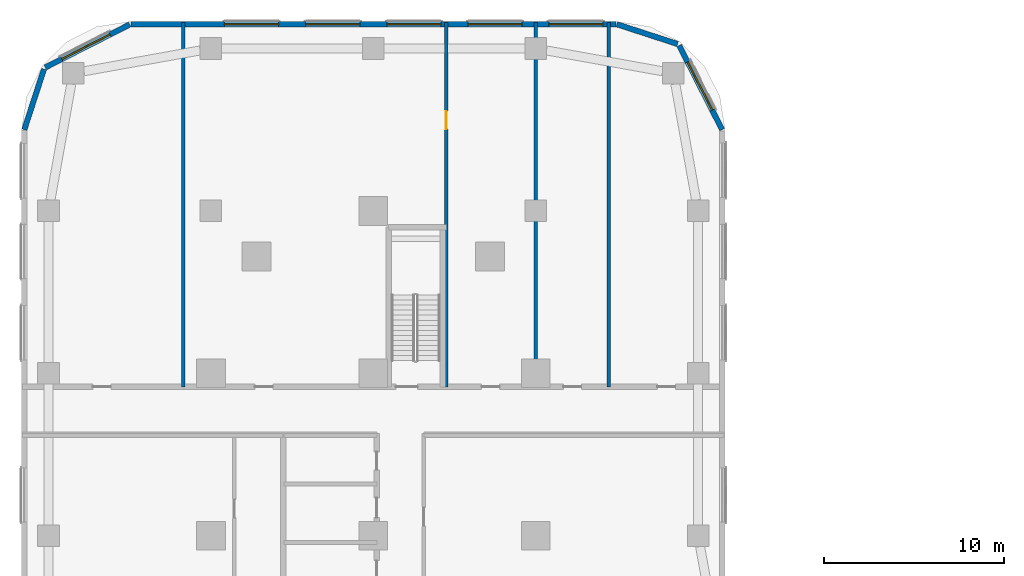
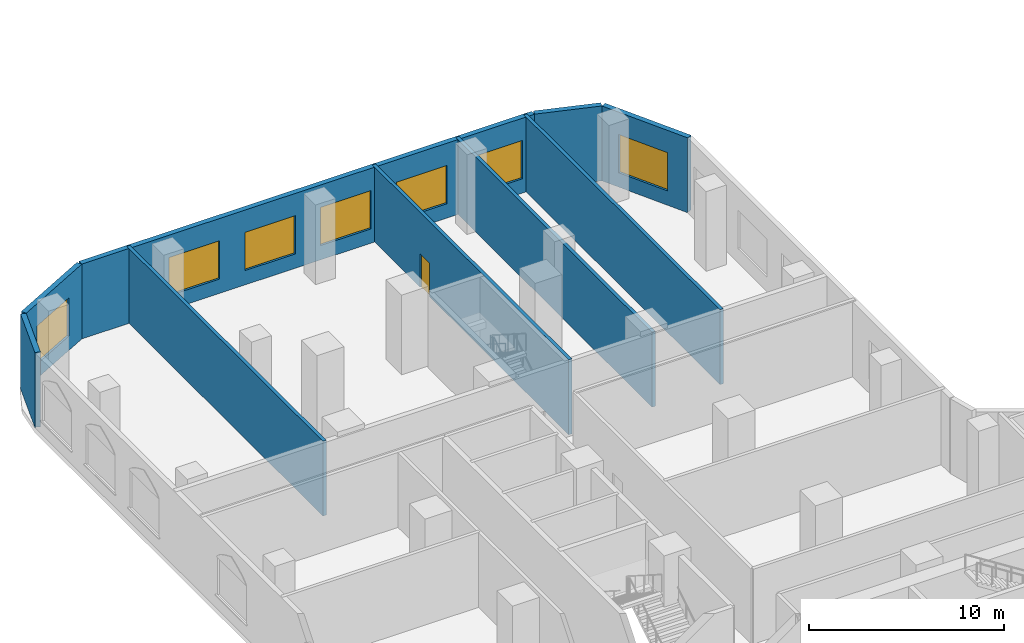
# One storey, part 11 of 31: 9 walls, 7 windows, 1 door, 8 openings.
"""IFC4 building model written with IfcOpenShell, lengths in metres."""

from ifc_helpers import new_model, si_unit, direction, frame, frame_2d, origin, place, context, subcontext, project, spatial, rectangle, extrude, material, layer, layer_set, type_object, element, fill, save


model = new_model("IFC4")

# Units and contexts
model_context = context("Model", 3, precision=1e-05, world=origin(), true_north=direction((0.0, 1.0)))
body_context = subcontext(model_context, "Body", "Model", "MODEL_VIEW")
ifc_project = project(units=[si_unit("LENGTHUNIT", "METRE"), si_unit("AREAUNIT", "SQUARE_METRE"), si_unit("VOLUMEUNIT", "CUBIC_METRE"), si_unit("PLANEANGLEUNIT", "RADIAN"), si_unit("MASSUNIT", "GRAM", prefix="KILO")], contexts=[model_context])

# Site, building, storey
site_placement = place(None, origin())
site = spatial("IfcSite", under=ifc_project, at=site_placement, CompositionType="ELEMENT")
building_placement = place(site_placement, origin())
building = spatial("IfcBuilding", under=site, at=building_placement, Name="Ogive Portal Towers", CompositionType="ELEMENT")
storey_placement = place(building_placement, frame((0.0, 0.0, 13.5)))
storey = spatial("IfcBuildingStorey", under=building, at=storey_placement, Name="L02", CompositionType="ELEMENT", Elevation=13.5)

# Wall, opening, window
ifc_material_1 = material(Name="Limestone cladding on lightweight block wall", Category="masonry")
ifc_layer_1 = layer(ifc_material_1, 0.300048828125)
ifc_layer_set_1 = layer_set([ifc_layer_1], Name="EXTERNAL WALL 300 STONE")
wall_type_1 = type_object("IfcWallType", Name="EXTERNAL WALL 300 STONE", PredefinedType="SOLIDWALL", material=ifc_layer_set_1)
wall_1_placement = place(storey_placement, frame((59.833740234375, 79.99609375, 0.0), z_axis=(0.0, 0.0, 1.0), x_axis=(-0.454006562826, 0.890998339455, 0.0)))
wall_1 = element("IfcWall", 1, at=wall_1_placement, inside=storey, type_object=wall_type_1, Name="A:L02:f12:w0", PredefinedType="SOLIDWALL", context=body_context, shape_type="SweptSolid", body=[
    extrude(rectangle(XDim=5.251708984375, YDim=0.300048828125, at=frame_2d((2.6259765625, 0.0))), origin(), (0.0, 0.0, 1.0), 4.699951171875),
])
opening_1_placement = place(wall_1_placement, frame((1.223876953125, 0.0, 0.89990234375)))
opening_1 = element("IfcOpeningElement", 2, at=opening_1_placement, cuts=wall_1, Name="Opening WN3", PredefinedType="OPENING", context=body_context, shape_type="SweptSolid", body=[
    extrude(rectangle(XDim=3.0, YDim=2.39990234375, at=frame_2d((1.5, 1.199951171875))), frame((0.0, 0.16015625, 0.0), z_axis=(0.0, -1.0, 0.0), x_axis=(1.0, 0.0, 0.0)), (0.0, 0.0, 1.0), 0.320068359375),
])
ifc_material_2 = material(Name="Glass, clear low-iron insulated glazing", Category="glass")
window_type = type_object("IfcWindowType", Name="WINDOW PODIUM 3000x2400", PartitioningType="SINGLE_PANEL", PredefinedType="WINDOW", material=ifc_material_2)
window_1_placement = place(opening_1_placement, origin())
window_1 = element("IfcWindow", 3, at=window_1_placement, inside=storey, type_object=window_type, Name="A:L02:f12:w0:o0", OverallHeight=2.39990234375, OverallWidth=3.0, PartitioningType="SINGLE_PANEL", PredefinedType="WINDOW", context=body_context, shape_type="SweptSolid", body=[
    extrude(rectangle(XDim=3.0, YDim=2.39990234375, at=frame_2d((1.5, 1.199951171875))), frame((0.0, 0.030029296875, 0.0), z_axis=(0.0, -1.0, 0.0), x_axis=(1.0, 0.0, 0.0)), (0.0, 0.0, 1.0), 0.06005859375),
])
fill(opening_1, window_1)

# Wall
wall_2_placement = place(storey_placement, frame((57.362060546875, 84.749755859375, 0.0), z_axis=(0.0, 0.0, 1.0), x_axis=(-0.951038127287, 0.309073584194, 0.0)))
element("IfcWall", 4, at=wall_2_placement, inside=storey, type_object=wall_type_1, Name="A:L02:f13:w0", PredefinedType="SOLIDWALL", context=body_context, shape_type="SweptSolid", body=[
    extrude(rectangle(XDim=3.536376953125, YDim=0.300048828125, at=frame_2d((1.76806640625, 0.0))), origin(), (0.0, 0.0, 1.0), 4.699951171875),
])

# Wall, openings, windows
wall_3_placement = place(storey_placement, frame((53.952392578125, 85.85009765625, 0.0), z_axis=(0.0, 0.0, 1.0), x_axis=(-1.0, 0.0, 0.0)))
wall_3 = element("IfcWall", 5, at=wall_3_placement, inside=storey, type_object=wall_type_1, Name="A:L02:f14:w0", PredefinedType="SOLIDWALL", context=body_context, shape_type="SweptSolid", body=[
    extrude(rectangle(XDim=26.88037109375, YDim=0.300048828125, at=frame_2d((13.440185546875, 0.0))), origin(), (0.0, 0.0, 1.0), 4.699951171875),
])
opening_2_placement = place(wall_3_placement, frame((0.726318359375, 0.0, 0.89990234375)))
opening_2 = element("IfcOpeningElement", 6, at=opening_2_placement, cuts=wall_3, Name="Opening WN3", PredefinedType="OPENING", context=body_context, shape_type="SweptSolid", body=[
    extrude(rectangle(XDim=3.0, YDim=2.39990234375, at=frame_2d((1.5, 1.199951171875))), frame((0.0, 0.16015625, 0.0), z_axis=(0.0, -1.0, 0.0), x_axis=(1.0, 0.0, 0.0)), (0.0, 0.0, 1.0), 0.320068359375),
])
opening_3_placement = place(wall_3_placement, frame((5.202392578125, 0.0, 0.89990234375)))
opening_3 = element("IfcOpeningElement", 7, at=opening_3_placement, cuts=wall_3, Name="Opening WN3", PredefinedType="OPENING", context=body_context, shape_type="SweptSolid", body=[
    extrude(rectangle(XDim=3.0, YDim=2.39990234375, at=frame_2d((1.5, 1.199951171875))), frame((0.0, 0.16015625, 0.0), z_axis=(0.0, -1.0, 0.0), x_axis=(1.0, 0.0, 0.0)), (0.0, 0.0, 1.0), 0.320068359375),
])
opening_4_placement = place(wall_3_placement, frame((9.702392578125, 0.0, 0.89990234375)))
opening_4 = element("IfcOpeningElement", 8, at=opening_4_placement, cuts=wall_3, Name="Opening WN3", PredefinedType="OPENING", context=body_context, shape_type="SweptSolid", body=[
    extrude(rectangle(XDim=3.0, YDim=2.39990234375, at=frame_2d((1.5, 1.199951171875))), frame((0.0, 0.16015625, 0.0), z_axis=(0.0, -1.0, 0.0), x_axis=(1.0, 0.0, 0.0)), (0.0, 0.0, 1.0), 0.320068359375),
])
opening_5_placement = place(wall_3_placement, frame((14.202392578125, 0.0, 0.89990234375)))
opening_5 = element("IfcOpeningElement", 9, at=opening_5_placement, cuts=wall_3, Name="Opening WN3", PredefinedType="OPENING", context=body_context, shape_type="SweptSolid", body=[
    extrude(rectangle(XDim=3.0, YDim=2.39990234375, at=frame_2d((1.5, 1.199951171875))), frame((0.0, 0.16015625, 0.0), z_axis=(0.0, -1.0, 0.0), x_axis=(1.0, 0.0, 0.0)), (0.0, 0.0, 1.0), 0.320068359375),
])
opening_6_placement = place(wall_3_placement, frame((18.702392578125, 0.0, 0.89990234375)))
opening_6 = element("IfcOpeningElement", 10, at=opening_6_placement, cuts=wall_3, Name="Opening WN3", PredefinedType="OPENING", context=body_context, shape_type="SweptSolid", body=[
    extrude(rectangle(XDim=3.0, YDim=2.39990234375, at=frame_2d((1.5, 1.199951171875))), frame((0.0, 0.16015625, 0.0), z_axis=(0.0, -1.0, 0.0), x_axis=(1.0, 0.0, 0.0)), (0.0, 0.0, 1.0), 0.320068359375),
])
window_2_placement = place(opening_2_placement, origin())
window_2 = element("IfcWindow", 11, at=window_2_placement, inside=storey, type_object=window_type, Name="A:L02:f14:w0:o0", OverallHeight=2.39990234375, OverallWidth=3.0, PartitioningType="SINGLE_PANEL", PredefinedType="WINDOW", context=body_context, shape_type="SweptSolid", body=[
    extrude(rectangle(XDim=3.0, YDim=2.39990234375, at=frame_2d((1.5, 1.199951171875))), frame((0.0, 0.030029296875, 0.0), z_axis=(0.0, -1.0, 0.0), x_axis=(1.0, 0.0, 0.0)), (0.0, 0.0, 1.0), 0.06005859375),
])
fill(opening_2, window_2)
window_3_placement = place(opening_3_placement, origin())
window_3 = element("IfcWindow", 12, at=window_3_placement, inside=storey, type_object=window_type, Name="A:L02:f14:w0:o1a", OverallHeight=2.39990234375, OverallWidth=3.0, PartitioningType="SINGLE_PANEL", PredefinedType="WINDOW", context=body_context, shape_type="SweptSolid", body=[
    extrude(rectangle(XDim=3.0, YDim=2.39990234375, at=frame_2d((1.5, 1.199951171875))), frame((0.0, 0.030029296875, 0.0), z_axis=(0.0, -1.0, 0.0), x_axis=(1.0, 0.0, 0.0)), (0.0, 0.0, 1.0), 0.06005859375),
])
fill(opening_3, window_3)
window_4_placement = place(opening_4_placement, origin())
window_4 = element("IfcWindow", 13, at=window_4_placement, inside=storey, type_object=window_type, Name="A:L02:f14:w0:o1b", OverallHeight=2.39990234375, OverallWidth=3.0, PartitioningType="SINGLE_PANEL", PredefinedType="WINDOW", context=body_context, shape_type="SweptSolid", body=[
    extrude(rectangle(XDim=3.0, YDim=2.39990234375, at=frame_2d((1.5, 1.199951171875))), frame((0.0, 0.030029296875, 0.0), z_axis=(0.0, -1.0, 0.0), x_axis=(1.0, 0.0, 0.0)), (0.0, 0.0, 1.0), 0.06005859375),
])
fill(opening_4, window_4)
window_5_placement = place(opening_5_placement, origin())
window_5 = element("IfcWindow", 14, at=window_5_placement, inside=storey, type_object=window_type, Name="A:L02:f14:w0:o2a", OverallHeight=2.39990234375, OverallWidth=3.0, PartitioningType="SINGLE_PANEL", PredefinedType="WINDOW", context=body_context, shape_type="SweptSolid", body=[
    extrude(rectangle(XDim=3.0, YDim=2.39990234375, at=frame_2d((1.5, 1.199951171875))), frame((0.0, 0.030029296875, 0.0), z_axis=(0.0, -1.0, 0.0), x_axis=(1.0, 0.0, 0.0)), (0.0, 0.0, 1.0), 0.06005859375),
])
fill(opening_5, window_5)
window_6_placement = place(opening_6_placement, origin())
window_6 = element("IfcWindow", 15, at=window_6_placement, inside=storey, type_object=window_type, Name="A:L02:f14:w0:o2b", OverallHeight=2.39990234375, OverallWidth=3.0, PartitioningType="SINGLE_PANEL", PredefinedType="WINDOW", context=body_context, shape_type="SweptSolid", body=[
    extrude(rectangle(XDim=3.0, YDim=2.39990234375, at=frame_2d((1.5, 1.199951171875))), frame((0.0, 0.030029296875, 0.0), z_axis=(0.0, -1.0, 0.0), x_axis=(1.0, 0.0, 0.0)), (0.0, 0.0, 1.0), 0.06005859375),
])
fill(opening_6, window_6)

# Wall, opening, window
wall_4_placement = place(storey_placement, frame((27.00390625, 85.833740234375, 0.0), z_axis=(0.0, 0.0, 1.0), x_axis=(-0.890998339455, -0.454006562826, 0.0)))
wall_4 = element("IfcWall", 16, at=wall_4_placement, inside=storey, type_object=wall_type_1, Name="A:L02:f15:w0", PredefinedType="SOLIDWALL", context=body_context, shape_type="SweptSolid", body=[
    extrude(rectangle(XDim=5.251708984375, YDim=0.300048828125, at=frame_2d((2.6259765625, 0.0))), origin(), (0.0, 0.0, 1.0), 4.699951171875),
])
opening_7_placement = place(wall_4_placement, frame((1.223876953125, 0.0, 0.89990234375)))
opening_7 = element("IfcOpeningElement", 17, at=opening_7_placement, cuts=wall_4, Name="Opening WN3", PredefinedType="OPENING", context=body_context, shape_type="SweptSolid", body=[
    extrude(rectangle(XDim=3.0, YDim=2.39990234375, at=frame_2d((1.5, 1.199951171875))), frame((0.0, 0.16015625, 0.0), z_axis=(0.0, -1.0, 0.0), x_axis=(1.0, 0.0, 0.0)), (0.0, 0.0, 1.0), 0.320068359375),
])
window_7_placement = place(opening_7_placement, origin())
window_7 = element("IfcWindow", 18, at=window_7_placement, inside=storey, type_object=window_type, Name="A:L02:f15:w0:o0", OverallHeight=2.39990234375, OverallWidth=3.0, PartitioningType="SINGLE_PANEL", PredefinedType="WINDOW", context=body_context, shape_type="SweptSolid", body=[
    extrude(rectangle(XDim=3.0, YDim=2.39990234375, at=frame_2d((1.5, 1.199951171875))), frame((0.0, 0.030029296875, 0.0), z_axis=(0.0, -1.0, 0.0), x_axis=(1.0, 0.0, 0.0)), (0.0, 0.0, 1.0), 0.06005859375),
])
fill(opening_7, window_7)

# Walls
wall_5_placement = place(storey_placement, frame((22.250244140625, 83.362060546875, 0.0), z_axis=(0.0, 0.0, 1.0), x_axis=(-0.309073584194, -0.951038127287, 0.0)))
element("IfcWall", 19, at=wall_5_placement, inside=storey, type_object=wall_type_1, Name="A:L02:f16:w0", PredefinedType="SOLIDWALL", context=body_context, shape_type="SweptSolid", body=[
    extrude(rectangle(XDim=3.536376953125, YDim=0.300048828125, at=frame_2d((1.76806640625, 0.0))), origin(), (0.0, 0.0, 1.0), 4.699951171875),
])
ifc_material_3 = material(Name="Gypsum board partition on steel studs", Category="steel")
ifc_layer_2 = layer(ifc_material_3, 0.199951171875)
ifc_layer_set_2 = layer_set([ifc_layer_2], Name="WT-PART-200-EI 60")
wall_type_2 = type_object("IfcWallType", Name="WT-PART-200-EI 60", PredefinedType="PARTITIONING", material=ifc_layer_set_2)
wall_6_placement = place(storey_placement, frame((29.967041015625, 65.75, 0.0), z_axis=(0.0, 0.0, 1.0), x_axis=(0.0, 1.0, 0.0)))
element("IfcWall", 20, at=wall_6_placement, inside=storey, type_object=wall_type_2, Name="Wall L02:w061", PredefinedType="PARTITIONING", context=body_context, shape_type="SweptSolid", body=[
    extrude(rectangle(XDim=20.179931640625, YDim=0.199951171875, at=frame_2d((10.08984375, 0.0))), origin(), (0.0, 0.0, 1.0), 4.699951171875),
])

# Wall, opening, door
wall_7_placement = place(storey_placement, frame((44.550048828125, 65.75, 0.0), z_axis=(0.0, 0.0, 1.0), x_axis=(0.0, 1.0, 0.0)))
wall_7 = element("IfcWall", 21, at=wall_7_placement, inside=storey, type_object=wall_type_2, Name="Wall L02:w071", PredefinedType="PARTITIONING", context=body_context, shape_type="SweptSolid", body=[
    extrude(rectangle(XDim=20.179931640625, YDim=0.199951171875, at=frame_2d((10.08984375, 0.0))), origin(), (0.0, 0.0, 1.0), 4.699951171875),
])
opening_8_placement = place(wall_7_placement, frame((14.280029296875, 0.0, 0.0)))
opening_8 = element("IfcOpeningElement", 22, at=opening_8_placement, cuts=wall_7, Name="Opening P02-008", PredefinedType="OPENING", context=body_context, shape_type="SweptSolid", body=[
    extrude(rectangle(XDim=1.0, YDim=2.10009765625, at=frame_2d((0.5, 1.050048828125))), frame((0.0, 0.10986328125, 0.0), z_axis=(0.0, -1.0, 0.0), x_axis=(1.0, 0.0, 0.0)), (0.0, 0.0, 1.0), 0.219970703125),
])
ifc_material_4 = material(Name="Steel fire door", Category="steel")
door_type = type_object("IfcDoorType", Name="DT-SWING-1000x2100-FD60S", OperationType="SINGLE_SWING_LEFT", PredefinedType="DOOR", material=ifc_material_4)
door_placement = place(opening_8_placement, origin())
door = element("IfcDoor", 23, at=door_placement, inside=storey, type_object=door_type, Name="Door P02-008", OperationType="SINGLE_SWING_RIGHT", OverallHeight=2.10009765625, OverallWidth=1.0, PredefinedType="DOOR", context=body_context, shape_type="SweptSolid", body=[
    extrude(rectangle(XDim=1.0, YDim=2.10009765625, at=frame_2d((0.5, 1.050048828125))), frame((0.0, 0.02490234375, 0.0), z_axis=(0.0, -1.0, 0.0), x_axis=(1.0, 0.0, 0.0)), (0.0, 0.0, 1.0), 0.050048828125),
])
fill(opening_8, door)

# Walls
for number, where, z_axis, x_axis, name in (
    (24, (49.5009765625, 65.75, 0.0), (0.0, 0.0, 1.0), (0.0, 1.0, 0.0), "Wall L02:w072"),
    (25, (53.5380859375, 65.75, 0.0), (0.0, 0.0, 1.0), (0.0, 1.0, 0.0), "Wall L02:w073"),
):
    element("IfcWall", number, at=place(storey_placement, frame(where, z_axis=z_axis, x_axis=x_axis)), inside=storey, type_object=wall_type_2, Name=name, PredefinedType="PARTITIONING", context=body_context, shape_type="SweptSolid", body=[
        extrude(rectangle(XDim=20.179931640625, YDim=0.199951171875, at=frame_2d((10.08984375, 0.0))), origin(), (0.0, 0.0, 1.0), 4.699951171875),
    ])

save(model, "model.ifc")
